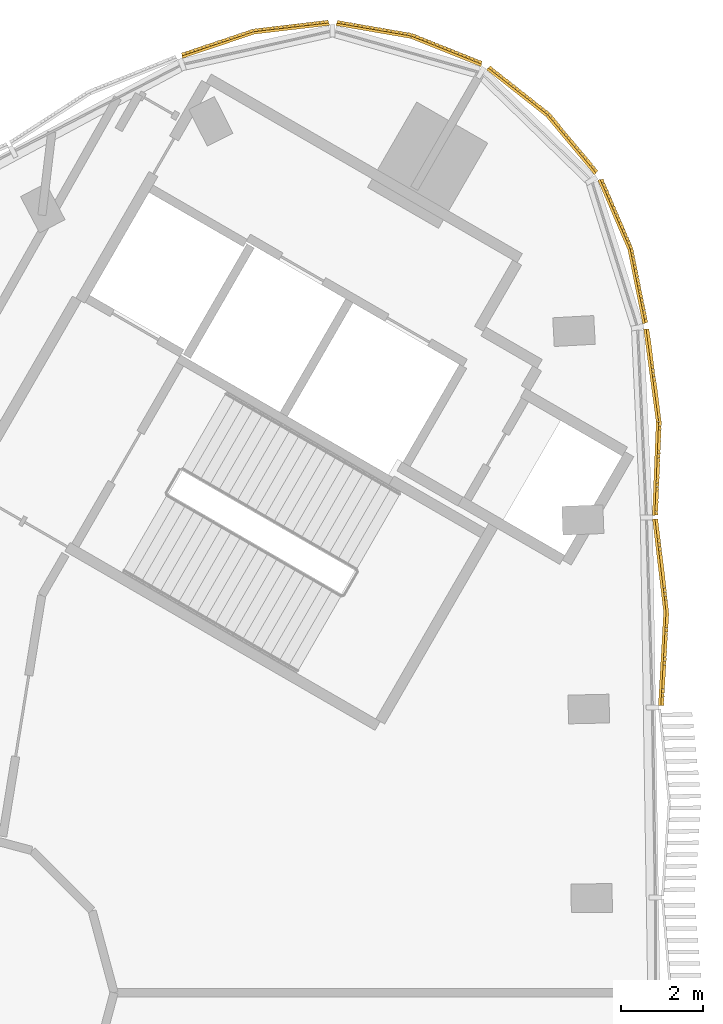
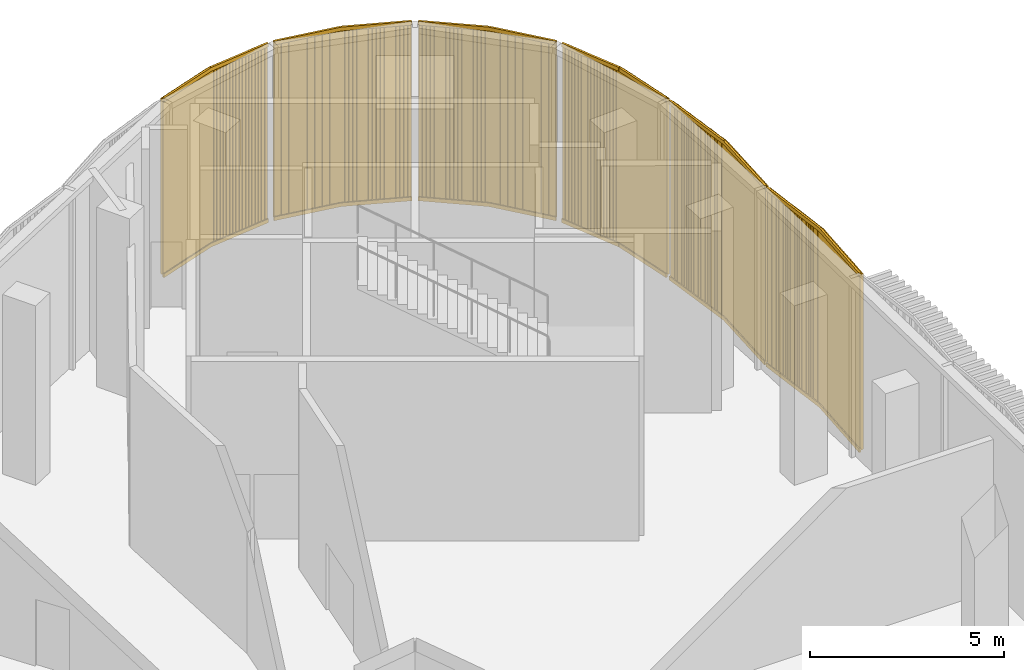
# One storey, part 11 of 11: 6 coverings.
"""IFC4 building model written with IfcOpenShell, lengths in metres."""

from ifc_helpers import new_model, si_unit, direction, frame, frame_2d, origin, place, context, subcontext, project, spatial, rectangle, extrude, source, transform, mapped, material, type_object, element, save


model = new_model("IFC4")

# Units and contexts
model_context = context("Model", 3, precision=1e-05, world=origin(), true_north=direction((0.0, 1.0)))
body_context = subcontext(model_context, "Body", "Model", "MODEL_VIEW")
ifc_project = project(units=[si_unit("LENGTHUNIT", "METRE"), si_unit("AREAUNIT", "SQUARE_METRE"), si_unit("VOLUMEUNIT", "CUBIC_METRE"), si_unit("PLANEANGLEUNIT", "RADIAN"), si_unit("MASSUNIT", "GRAM", prefix="KILO")], contexts=[model_context])

# Site, building, storey
site_placement = place(None, origin())
site = spatial("IfcSite", under=ifc_project, at=site_placement, CompositionType="ELEMENT")
building_placement = place(site_placement, origin())
building = spatial("IfcBuilding", under=site, at=building_placement, Name="Tamra Quay Hotel Tower", CompositionType="ELEMENT")
storey_placement = place(building_placement, frame((0.0, 0.0, 306.60009765625)))
storey = spatial("IfcBuildingStorey", under=building, at=storey_placement, Name="L77", CompositionType="ELEMENT", Elevation=306.60009765625)

# Coverings
ifc_material = material(Name="Terracotta baguette extruded", Category="masonry")
covering_type_1 = type_object("IfcCoveringType", Name="BAGUETTE SCREEN E-SHALLOW H5650", PredefinedType="USERDEFINED", material=ifc_material)
shared_shape_1 = source(origin(), body_context, "Body", "SweptSolid", [
    extrude(rectangle(XDim=2.28125, YDim=0.06005859375, at=frame_2d((1.140625, 0.030029296875))), frame((-2.27783203125, -0.057861328125, -0.1201171875), z_axis=(0.0, 0.0, 1.0), x_axis=(0.996194698092, -0.087155742748, 0.0)), (0.0, 0.0, 1.0), 0.1201171875),
    extrude(rectangle(XDim=2.28125, YDim=0.06005859375, at=frame_2d((1.140625, 0.030029296875))), frame((-2.27783203125, -0.057861328125, -5.64990234375), z_axis=(0.0, 0.0, 1.0), x_axis=(0.996194698092, -0.087155742748, 0.0)), (0.0, 0.0, 1.0), 0.1201171875),
    extrude(rectangle(XDim=0.094970703125, YDim=0.10009765625, at=frame_2d((0.04736328125, 0.050048828125))), frame((-2.2705078125, -0.13232421875, -5.590087890625)), (0.0, 0.0, 1.0), 5.530029296875),
    extrude(rectangle(XDim=0.094970703125, YDim=0.10009765625, at=frame_2d((0.04736328125, 0.050048828125))), frame((-2.171875, -0.140869140625, -5.590087890625)), (0.0, 0.0, 1.0), 5.530029296875),
    extrude(rectangle(XDim=0.094970703125, YDim=0.10009765625, at=frame_2d((0.04736328125, 0.050048828125))), frame((-2.072998046875, -0.149658203125, -5.590087890625)), (0.0, 0.0, 1.0), 5.530029296875),
    extrude(rectangle(XDim=0.094970703125, YDim=0.10009765625, at=frame_2d((0.04736328125, 0.050048828125))), frame((-1.97412109375, -0.158203125, -5.590087890625)), (0.0, 0.0, 1.0), 5.530029296875),
    extrude(rectangle(XDim=0.094970703125, YDim=0.10009765625, at=frame_2d((0.04736328125, 0.050048828125))), frame((-1.87548828125, -0.1669921875, -5.590087890625)), (0.0, 0.0, 1.0), 5.530029296875),
    extrude(rectangle(XDim=0.094970703125, YDim=0.10009765625, at=frame_2d((0.04736328125, 0.050048828125))), frame((-1.776611328125, -0.175537109375, -5.590087890625)), (0.0, 0.0, 1.0), 5.530029296875),
    extrude(rectangle(XDim=0.094970703125, YDim=0.10009765625, at=frame_2d((0.04736328125, 0.050048828125))), frame((-1.677734375, -0.18408203125, -5.590087890625)), (0.0, 0.0, 1.0), 5.530029296875),
    extrude(rectangle(XDim=0.094970703125, YDim=0.10009765625, at=frame_2d((0.04736328125, 0.050048828125))), frame((-1.578857421875, -0.19287109375, -5.590087890625)), (0.0, 0.0, 1.0), 5.530029296875),
    extrude(rectangle(XDim=0.094970703125, YDim=0.10009765625, at=frame_2d((0.04736328125, 0.050048828125))), frame((-1.480224609375, -0.201416015625, -5.590087890625)), (0.0, 0.0, 1.0), 5.530029296875),
    extrude(rectangle(XDim=0.094970703125, YDim=0.10009765625, at=frame_2d((0.04736328125, 0.050048828125))), frame((-1.38134765625, -0.210205078125, -5.590087890625)), (0.0, 0.0, 1.0), 5.530029296875),
    extrude(rectangle(XDim=0.094970703125, YDim=0.10009765625, at=frame_2d((0.04736328125, 0.050048828125))), frame((-1.282470703125, -0.21875, -5.590087890625)), (0.0, 0.0, 1.0), 5.530029296875),
    extrude(rectangle(XDim=0.094970703125, YDim=0.10009765625, at=frame_2d((0.04736328125, 0.050048828125))), frame((-1.183837890625, -0.227294921875, -5.590087890625)), (0.0, 0.0, 1.0), 5.530029296875),
    extrude(rectangle(XDim=0.094970703125, YDim=0.10009765625, at=frame_2d((0.04736328125, 0.050048828125))), frame((-1.0849609375, -0.236083984375, -5.590087890625)), (0.0, 0.0, 1.0), 5.530029296875),
    extrude(rectangle(XDim=0.094970703125, YDim=0.10009765625, at=frame_2d((0.04736328125, 0.050048828125))), frame((-0.986083984375, -0.24462890625, -5.590087890625)), (0.0, 0.0, 1.0), 5.530029296875),
    extrude(rectangle(XDim=0.094970703125, YDim=0.10009765625, at=frame_2d((0.04736328125, 0.050048828125))), frame((-0.887451171875, -0.25341796875, -5.590087890625)), (0.0, 0.0, 1.0), 5.530029296875),
    extrude(rectangle(XDim=0.094970703125, YDim=0.10009765625, at=frame_2d((0.04736328125, 0.050048828125))), frame((-0.78857421875, -0.261962890625, -5.590087890625)), (0.0, 0.0, 1.0), 5.530029296875),
    extrude(rectangle(XDim=0.094970703125, YDim=0.10009765625, at=frame_2d((0.04736328125, 0.050048828125))), frame((-0.689697265625, -0.270751953125, -5.590087890625)), (0.0, 0.0, 1.0), 5.530029296875),
    extrude(rectangle(XDim=0.094970703125, YDim=0.10009765625, at=frame_2d((0.04736328125, 0.050048828125))), frame((-0.5908203125, -0.279296875, -5.590087890625)), (0.0, 0.0, 1.0), 5.530029296875),
    extrude(rectangle(XDim=0.094970703125, YDim=0.10009765625, at=frame_2d((0.04736328125, 0.050048828125))), frame((-0.4921875, -0.287841796875, -5.590087890625)), (0.0, 0.0, 1.0), 5.530029296875),
    extrude(rectangle(XDim=0.094970703125, YDim=0.10009765625, at=frame_2d((0.04736328125, 0.050048828125))), frame((-0.393310546875, -0.296630859375, -5.590087890625)), (0.0, 0.0, 1.0), 5.530029296875),
    extrude(rectangle(XDim=0.094970703125, YDim=0.10009765625, at=frame_2d((0.04736328125, 0.050048828125))), frame((-0.29443359375, -0.30517578125, -5.590087890625)), (0.0, 0.0, 1.0), 5.530029296875),
    extrude(rectangle(XDim=0.094970703125, YDim=0.10009765625, at=frame_2d((0.04736328125, 0.050048828125))), frame((-0.19580078125, -0.31396484375, -5.590087890625)), (0.0, 0.0, 1.0), 5.530029296875),
    extrude(rectangle(XDim=0.094970703125, YDim=0.10009765625, at=frame_2d((0.04736328125, 0.050048828125))), frame((-0.096923828125, -0.322509765625, -5.590087890625)), (0.0, 0.0, 1.0), 5.530029296875),
    extrude(rectangle(XDim=2.28125, YDim=0.06005859375, at=frame_2d((1.140625, 0.030029296875))), frame((0.005126953125, -0.256591796875, -0.1201171875), z_axis=(0.0, 0.0, 1.0), x_axis=(0.996194698092, 0.087155742748, 0.0)), (0.0, 0.0, 1.0), 0.1201171875),
    extrude(rectangle(XDim=2.28125, YDim=0.06005859375, at=frame_2d((1.140625, 0.030029296875))), frame((0.005126953125, -0.256591796875, -5.64990234375), z_axis=(0.0, 0.0, 1.0), x_axis=(0.996194698092, 0.087155742748, 0.0)), (0.0, 0.0, 1.0), 0.1201171875),
    extrude(rectangle(XDim=0.094970703125, YDim=0.10009765625, at=frame_2d((0.04736328125, 0.050048828125))), frame((0.001953125, -0.322509765625, -5.590087890625)), (0.0, 0.0, 1.0), 5.530029296875),
    extrude(rectangle(XDim=0.094970703125, YDim=0.10009765625, at=frame_2d((0.04736328125, 0.050048828125))), frame((0.100830078125, -0.31396484375, -5.590087890625)), (0.0, 0.0, 1.0), 5.530029296875),
    extrude(rectangle(XDim=0.094970703125, YDim=0.10009765625, at=frame_2d((0.04736328125, 0.050048828125))), frame((0.199462890625, -0.30517578125, -5.590087890625)), (0.0, 0.0, 1.0), 5.530029296875),
    extrude(rectangle(XDim=0.094970703125, YDim=0.10009765625, at=frame_2d((0.04736328125, 0.050048828125))), frame((0.29833984375, -0.296630859375, -5.590087890625)), (0.0, 0.0, 1.0), 5.530029296875),
    extrude(rectangle(XDim=0.094970703125, YDim=0.10009765625, at=frame_2d((0.04736328125, 0.050048828125))), frame((0.397216796875, -0.287841796875, -5.590087890625)), (0.0, 0.0, 1.0), 5.530029296875),
    extrude(rectangle(XDim=0.094970703125, YDim=0.10009765625, at=frame_2d((0.04736328125, 0.050048828125))), frame((0.495849609375, -0.279296875, -5.590087890625)), (0.0, 0.0, 1.0), 5.530029296875),
    extrude(rectangle(XDim=0.094970703125, YDim=0.10009765625, at=frame_2d((0.04736328125, 0.050048828125))), frame((0.5947265625, -0.270751953125, -5.590087890625)), (0.0, 0.0, 1.0), 5.530029296875),
    extrude(rectangle(XDim=0.094970703125, YDim=0.10009765625, at=frame_2d((0.04736328125, 0.050048828125))), frame((0.693603515625, -0.261962890625, -5.590087890625)), (0.0, 0.0, 1.0), 5.530029296875),
    extrude(rectangle(XDim=0.094970703125, YDim=0.10009765625, at=frame_2d((0.04736328125, 0.050048828125))), frame((0.792236328125, -0.25341796875, -5.590087890625)), (0.0, 0.0, 1.0), 5.530029296875),
    extrude(rectangle(XDim=0.094970703125, YDim=0.10009765625, at=frame_2d((0.04736328125, 0.050048828125))), frame((0.89111328125, -0.24462890625, -5.590087890625)), (0.0, 0.0, 1.0), 5.530029296875),
    extrude(rectangle(XDim=0.094970703125, YDim=0.10009765625, at=frame_2d((0.04736328125, 0.050048828125))), frame((0.989990234375, -0.236083984375, -5.590087890625)), (0.0, 0.0, 1.0), 5.530029296875),
    extrude(rectangle(XDim=0.094970703125, YDim=0.10009765625, at=frame_2d((0.04736328125, 0.050048828125))), frame((1.0888671875, -0.227294921875, -5.590087890625)), (0.0, 0.0, 1.0), 5.530029296875),
    extrude(rectangle(XDim=0.094970703125, YDim=0.10009765625, at=frame_2d((0.04736328125, 0.050048828125))), frame((1.1875, -0.21875, -5.590087890625)), (0.0, 0.0, 1.0), 5.530029296875),
    extrude(rectangle(XDim=0.094970703125, YDim=0.10009765625, at=frame_2d((0.04736328125, 0.050048828125))), frame((1.286376953125, -0.210205078125, -5.590087890625)), (0.0, 0.0, 1.0), 5.530029296875),
    extrude(rectangle(XDim=0.094970703125, YDim=0.10009765625, at=frame_2d((0.04736328125, 0.050048828125))), frame((1.38525390625, -0.201416015625, -5.590087890625)), (0.0, 0.0, 1.0), 5.530029296875),
    extrude(rectangle(XDim=0.094970703125, YDim=0.10009765625, at=frame_2d((0.04736328125, 0.050048828125))), frame((1.48388671875, -0.19287109375, -5.590087890625)), (0.0, 0.0, 1.0), 5.530029296875),
    extrude(rectangle(XDim=0.094970703125, YDim=0.10009765625, at=frame_2d((0.04736328125, 0.050048828125))), frame((1.582763671875, -0.18408203125, -5.590087890625)), (0.0, 0.0, 1.0), 5.530029296875),
    extrude(rectangle(XDim=0.094970703125, YDim=0.10009765625, at=frame_2d((0.04736328125, 0.050048828125))), frame((1.681640625, -0.175537109375, -5.590087890625)), (0.0, 0.0, 1.0), 5.530029296875),
    extrude(rectangle(XDim=0.094970703125, YDim=0.10009765625, at=frame_2d((0.04736328125, 0.050048828125))), frame((1.7802734375, -0.1669921875, -5.590087890625)), (0.0, 0.0, 1.0), 5.530029296875),
    extrude(rectangle(XDim=0.094970703125, YDim=0.10009765625, at=frame_2d((0.04736328125, 0.050048828125))), frame((1.879150390625, -0.158203125, -5.590087890625)), (0.0, 0.0, 1.0), 5.530029296875),
    extrude(rectangle(XDim=0.094970703125, YDim=0.10009765625, at=frame_2d((0.04736328125, 0.050048828125))), frame((1.97802734375, -0.149658203125, -5.590087890625)), (0.0, 0.0, 1.0), 5.530029296875),
    extrude(rectangle(XDim=0.094970703125, YDim=0.10009765625, at=frame_2d((0.04736328125, 0.050048828125))), frame((2.076904296875, -0.140869140625, -5.590087890625)), (0.0, 0.0, 1.0), 5.530029296875),
    extrude(rectangle(XDim=0.094970703125, YDim=0.10009765625, at=frame_2d((0.04736328125, 0.050048828125))), frame((2.175537109375, -0.13232421875, -5.590087890625)), (0.0, 0.0, 1.0), 5.530029296875),
])
for number, where, z_axis, x_axis, name in (
    (1, (17.187255859375, 9.265625, 5.64990234375), (0.0, 0.0, 1.0), (-0.031241813408, 0.999511855405, 0.0), "Baguette screen L77.E.f05"),
    (2, (17.00634765625, 13.8955078125, 5.64990234375), (0.0, 0.0, 1.0), (-0.046821272814, 0.998903282812, 0.0), "Baguette screen L77.E.f06"),
):
    element("IfcCovering", number, at=place(storey_placement, frame(where, z_axis=z_axis, x_axis=x_axis)), inside=storey, type_object=covering_type_1, Name=name, ObjectType="BAGUETTE SCREEN", PredefinedType="USERDEFINED", context=body_context, shape_type="MappedRepresentation", body=[
        mapped(shared_shape_1, transform((0.0, 0.0, 0.0), scale=1.0)),
    ])
covering_type_2 = type_object("IfcCoveringType", Name="BAGUETTE SCREEN CORNER-SHALLOW H5650", PredefinedType="USERDEFINED", material=ifc_material)
shared_shape_2 = source(origin(), body_context, "Body", "SweptSolid", [
    extrude(rectangle(XDim=1.842529296875, YDim=0.06005859375, at=frame_2d((0.92138671875, 0.030029296875))), frame((-1.8388671875, -0.0576171875, -0.1201171875), z_axis=(0.0, 0.0, 1.0), x_axis=(0.994521895368, -0.104528463268, 0.0)), (0.0, 0.0, 1.0), 0.1201171875),
    extrude(rectangle(XDim=1.842529296875, YDim=0.06005859375, at=frame_2d((0.92138671875, 0.030029296875))), frame((-1.8388671875, -0.0576171875, -5.64990234375), z_axis=(0.0, 0.0, 1.0), x_axis=(0.994521895368, -0.104528463268, 0.0)), (0.0, 0.0, 1.0), 0.1201171875),
    extrude(rectangle(XDim=0.094970703125, YDim=0.10009765625, at=frame_2d((0.04736328125, 0.050048828125))), frame((-1.8291015625, -0.13330078125, -5.590087890625)), (0.0, 0.0, 1.0), 5.530029296875),
    extrude(rectangle(XDim=0.094970703125, YDim=0.10009765625, at=frame_2d((0.04736328125, 0.050048828125))), frame((-1.727294921875, -0.14404296875, -5.590087890625)), (0.0, 0.0, 1.0), 5.530029296875),
    extrude(rectangle(XDim=0.094970703125, YDim=0.10009765625, at=frame_2d((0.04736328125, 0.050048828125))), frame((-1.62548828125, -0.15478515625, -5.590087890625)), (0.0, 0.0, 1.0), 5.530029296875),
    extrude(rectangle(XDim=0.094970703125, YDim=0.10009765625, at=frame_2d((0.04736328125, 0.050048828125))), frame((-1.523681640625, -0.16552734375, -5.590087890625)), (0.0, 0.0, 1.0), 5.530029296875),
    extrude(rectangle(XDim=0.094970703125, YDim=0.10009765625, at=frame_2d((0.04736328125, 0.050048828125))), frame((-1.421875, -0.17626953125, -5.590087890625)), (0.0, 0.0, 1.0), 5.530029296875),
    extrude(rectangle(XDim=0.094970703125, YDim=0.10009765625, at=frame_2d((0.04736328125, 0.050048828125))), frame((-1.320068359375, -0.186767578125, -5.590087890625)), (0.0, 0.0, 1.0), 5.530029296875),
    extrude(rectangle(XDim=0.094970703125, YDim=0.10009765625, at=frame_2d((0.04736328125, 0.050048828125))), frame((-1.21826171875, -0.197509765625, -5.590087890625)), (0.0, 0.0, 1.0), 5.530029296875),
    extrude(rectangle(XDim=0.094970703125, YDim=0.10009765625, at=frame_2d((0.04736328125, 0.050048828125))), frame((-1.116455078125, -0.208251953125, -5.590087890625)), (0.0, 0.0, 1.0), 5.530029296875),
    extrude(rectangle(XDim=0.094970703125, YDim=0.10009765625, at=frame_2d((0.04736328125, 0.050048828125))), frame((-1.0146484375, -0.218994140625, -5.590087890625)), (0.0, 0.0, 1.0), 5.530029296875),
    extrude(rectangle(XDim=0.094970703125, YDim=0.10009765625, at=frame_2d((0.04736328125, 0.050048828125))), frame((-0.912841796875, -0.229736328125, -5.590087890625)), (0.0, 0.0, 1.0), 5.530029296875),
    extrude(rectangle(XDim=0.094970703125, YDim=0.10009765625, at=frame_2d((0.04736328125, 0.050048828125))), frame((-0.81103515625, -0.240234375, -5.590087890625)), (0.0, 0.0, 1.0), 5.530029296875),
    extrude(rectangle(XDim=0.094970703125, YDim=0.10009765625, at=frame_2d((0.04736328125, 0.050048828125))), frame((-0.709228515625, -0.2509765625, -5.590087890625)), (0.0, 0.0, 1.0), 5.530029296875),
    extrude(rectangle(XDim=0.094970703125, YDim=0.10009765625, at=frame_2d((0.04736328125, 0.050048828125))), frame((-0.607421875, -0.26171875, -5.590087890625)), (0.0, 0.0, 1.0), 5.530029296875),
    extrude(rectangle(XDim=0.094970703125, YDim=0.10009765625, at=frame_2d((0.04736328125, 0.050048828125))), frame((-0.505615234375, -0.2724609375, -5.590087890625)), (0.0, 0.0, 1.0), 5.530029296875),
    extrude(rectangle(XDim=0.094970703125, YDim=0.10009765625, at=frame_2d((0.04736328125, 0.050048828125))), frame((-0.40380859375, -0.283203125, -5.590087890625)), (0.0, 0.0, 1.0), 5.530029296875),
    extrude(rectangle(XDim=0.094970703125, YDim=0.10009765625, at=frame_2d((0.04736328125, 0.050048828125))), frame((-0.302001953125, -0.2939453125, -5.590087890625)), (0.0, 0.0, 1.0), 5.530029296875),
    extrude(rectangle(XDim=0.094970703125, YDim=0.10009765625, at=frame_2d((0.04736328125, 0.050048828125))), frame((-0.2001953125, -0.304443359375, -5.590087890625)), (0.0, 0.0, 1.0), 5.530029296875),
    extrude(rectangle(XDim=0.094970703125, YDim=0.10009765625, at=frame_2d((0.04736328125, 0.050048828125))), frame((-0.098388671875, -0.315185546875, -5.590087890625)), (0.0, 0.0, 1.0), 5.530029296875),
    extrude(rectangle(XDim=1.842529296875, YDim=0.06005859375, at=frame_2d((0.92138671875, 0.030029296875))), frame((0.00634765625, -0.250244140625, -0.1201171875), z_axis=(0.0, 0.0, 1.0), x_axis=(0.994521895368, 0.104528463268, 0.0)), (0.0, 0.0, 1.0), 0.1201171875),
    extrude(rectangle(XDim=1.842529296875, YDim=0.06005859375, at=frame_2d((0.92138671875, 0.030029296875))), frame((0.00634765625, -0.250244140625, -5.64990234375), z_axis=(0.0, 0.0, 1.0), x_axis=(0.994521895368, 0.104528463268, 0.0)), (0.0, 0.0, 1.0), 0.1201171875),
    extrude(rectangle(XDim=0.094970703125, YDim=0.10009765625, at=frame_2d((0.04736328125, 0.050048828125))), frame((0.00341796875, -0.315185546875, -5.590087890625)), (0.0, 0.0, 1.0), 5.530029296875),
    extrude(rectangle(XDim=0.094970703125, YDim=0.10009765625, at=frame_2d((0.04736328125, 0.050048828125))), frame((0.105224609375, -0.304443359375, -5.590087890625)), (0.0, 0.0, 1.0), 5.530029296875),
    extrude(rectangle(XDim=0.094970703125, YDim=0.10009765625, at=frame_2d((0.04736328125, 0.050048828125))), frame((0.20703125, -0.2939453125, -5.590087890625)), (0.0, 0.0, 1.0), 5.530029296875),
    extrude(rectangle(XDim=0.094970703125, YDim=0.10009765625, at=frame_2d((0.04736328125, 0.050048828125))), frame((0.308837890625, -0.283203125, -5.590087890625)), (0.0, 0.0, 1.0), 5.530029296875),
    extrude(rectangle(XDim=0.094970703125, YDim=0.10009765625, at=frame_2d((0.04736328125, 0.050048828125))), frame((0.41064453125, -0.2724609375, -5.590087890625)), (0.0, 0.0, 1.0), 5.530029296875),
    extrude(rectangle(XDim=0.094970703125, YDim=0.10009765625, at=frame_2d((0.04736328125, 0.050048828125))), frame((0.512451171875, -0.26171875, -5.590087890625)), (0.0, 0.0, 1.0), 5.530029296875),
    extrude(rectangle(XDim=0.094970703125, YDim=0.10009765625, at=frame_2d((0.04736328125, 0.050048828125))), frame((0.6142578125, -0.2509765625, -5.590087890625)), (0.0, 0.0, 1.0), 5.530029296875),
    extrude(rectangle(XDim=0.094970703125, YDim=0.10009765625, at=frame_2d((0.04736328125, 0.050048828125))), frame((0.716064453125, -0.240234375, -5.590087890625)), (0.0, 0.0, 1.0), 5.530029296875),
    extrude(rectangle(XDim=0.094970703125, YDim=0.10009765625, at=frame_2d((0.04736328125, 0.050048828125))), frame((0.81787109375, -0.229736328125, -5.590087890625)), (0.0, 0.0, 1.0), 5.530029296875),
    extrude(rectangle(XDim=0.094970703125, YDim=0.10009765625, at=frame_2d((0.04736328125, 0.050048828125))), frame((0.919677734375, -0.218994140625, -5.590087890625)), (0.0, 0.0, 1.0), 5.530029296875),
    extrude(rectangle(XDim=0.094970703125, YDim=0.10009765625, at=frame_2d((0.04736328125, 0.050048828125))), frame((1.021484375, -0.208251953125, -5.590087890625)), (0.0, 0.0, 1.0), 5.530029296875),
    extrude(rectangle(XDim=0.094970703125, YDim=0.10009765625, at=frame_2d((0.04736328125, 0.050048828125))), frame((1.123291015625, -0.197509765625, -5.590087890625)), (0.0, 0.0, 1.0), 5.530029296875),
    extrude(rectangle(XDim=0.094970703125, YDim=0.10009765625, at=frame_2d((0.04736328125, 0.050048828125))), frame((1.22509765625, -0.186767578125, -5.590087890625)), (0.0, 0.0, 1.0), 5.530029296875),
    extrude(rectangle(XDim=0.094970703125, YDim=0.10009765625, at=frame_2d((0.04736328125, 0.050048828125))), frame((1.326904296875, -0.17626953125, -5.590087890625)), (0.0, 0.0, 1.0), 5.530029296875),
    extrude(rectangle(XDim=0.094970703125, YDim=0.10009765625, at=frame_2d((0.04736328125, 0.050048828125))), frame((1.4287109375, -0.16552734375, -5.590087890625)), (0.0, 0.0, 1.0), 5.530029296875),
    extrude(rectangle(XDim=0.094970703125, YDim=0.10009765625, at=frame_2d((0.04736328125, 0.050048828125))), frame((1.530517578125, -0.15478515625, -5.590087890625)), (0.0, 0.0, 1.0), 5.530029296875),
    extrude(rectangle(XDim=0.094970703125, YDim=0.10009765625, at=frame_2d((0.04736328125, 0.050048828125))), frame((1.63232421875, -0.14404296875, -5.590087890625)), (0.0, 0.0, 1.0), 5.530029296875),
    extrude(rectangle(XDim=0.094970703125, YDim=0.10009765625, at=frame_2d((0.04736328125, 0.050048828125))), frame((1.734130859375, -0.13330078125, -5.590087890625)), (0.0, 0.0, 1.0), 5.530029296875),
])
for number, where, z_axis, x_axis, name in (
    (3, (16.3310546875, 18.038818359375, 5.64990234375), (0.0, 0.0, 1.0), (-0.29839239288, 0.954443282689, 0.0), "Baguette screen L77.E.c07"),
    (4, (14.38623046875, 21.203369140625, 5.64990234375), (0.0, 0.0, 1.0), (-0.716752699854, 0.69732744622, 0.0), "Baguette screen L77.E.c08"),
    (5, (11.16943359375, 23.060546875, 5.64990234375), (0.0, 0.0, 1.0), (-0.96227963311, 0.272062323195, 0.0), "Baguette screen L77.E.c09"),
    (6, (7.456787109375, 23.162353515625, 5.64990234375), (0.0, 0.0, 1.0), (-0.975768325721, -0.218806248814, 0.0), "Baguette screen L77.E.c10"),
):
    element("IfcCovering", number, at=place(storey_placement, frame(where, z_axis=z_axis, x_axis=x_axis)), inside=storey, type_object=covering_type_2, Name=name, ObjectType="BAGUETTE SCREEN", PredefinedType="USERDEFINED", context=body_context, shape_type="MappedRepresentation", body=[
        mapped(shared_shape_2, transform((0.0, 0.0, 0.0), scale=1.0)),
    ])

save(model, "model.ifc")
